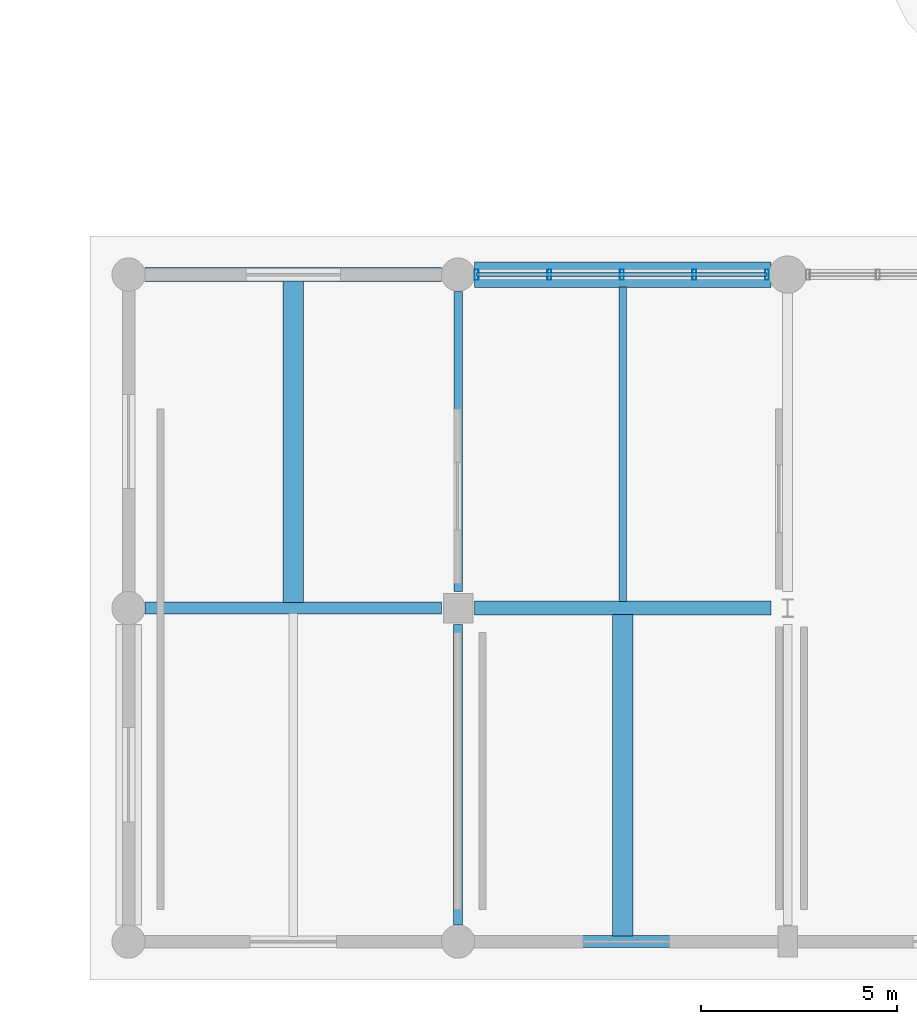
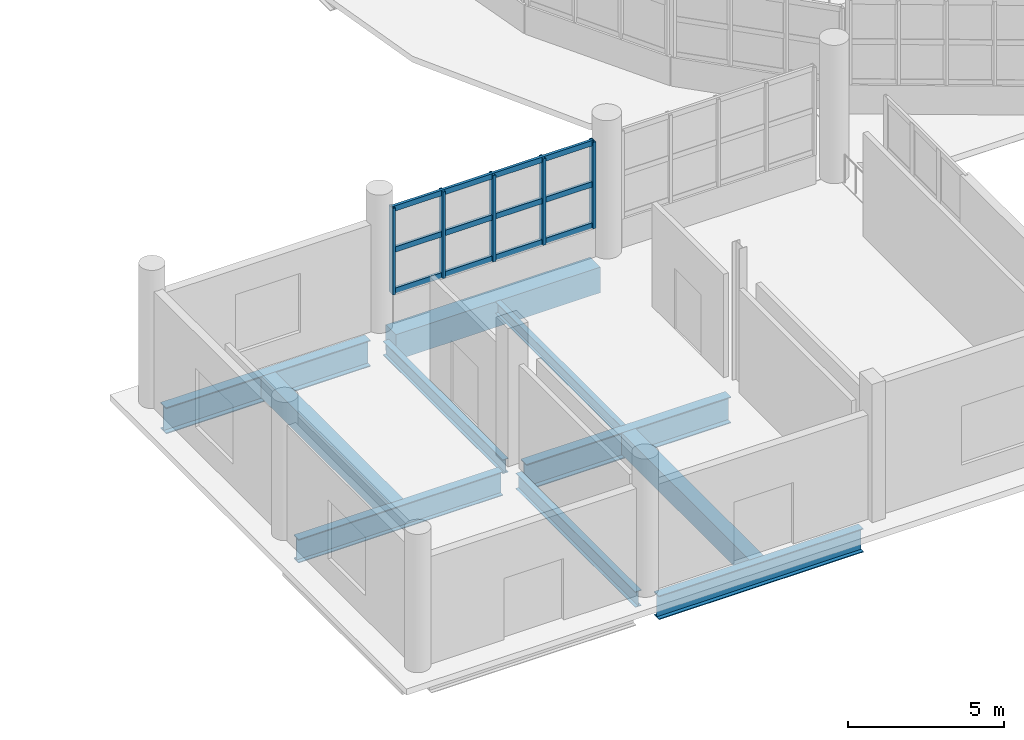
# One storey, part 3 of 107: 10 beams, 8 members, 1 element without a shape of its own.
"""IFC4 building model written with IfcOpenShell, lengths in metres."""

from ifc_helpers import new_model, si_unit, direction, frame, origin, origin_2d, place, context, subcontext, project, spatial, rectangle, hollow_rectangle, i_section, extrude, material, material_profile, profile_set, type_object, element, aggregate, save


model = new_model("IFC4")

# Units and contexts
model_context = context("Model", 3, precision=1e-05, world=origin(), true_north=direction((0.0, 1.0)))
body_context = subcontext(model_context, "Body", "Model", "MODEL_VIEW")
ifc_project = project(units=[si_unit("LENGTHUNIT", "METRE"), si_unit("AREAUNIT", "SQUARE_METRE"), si_unit("VOLUMEUNIT", "CUBIC_METRE"), si_unit("PLANEANGLEUNIT", "RADIAN"), si_unit("MASSUNIT", "GRAM", prefix="KILO")], contexts=[model_context])

# Site, building, storey
site_placement = place(None, origin())
site = spatial("IfcSite", under=ifc_project, at=site_placement, CompositionType="ELEMENT")
building_placement = place(site_placement, origin())
building = spatial("IfcBuilding", under=site, at=building_placement, Name="Solvento Point Concert Hall", CompositionType="ELEMENT")
storey_placement = place(building_placement, origin())
storey = spatial("IfcBuildingStorey", under=building, at=storey_placement, Name="L00", CompositionType="ELEMENT", Elevation=0.0)

# Beams
ifc_material_1 = material(Name="Concrete C35/45", Category="concrete")
ifc_material_profile_1 = material_profile(ifc_material_1, rectangle(XDim=0.52001953125, YDim=0.840087890625, at=origin_2d()), Name="RC-BM-520X840")
ifc_profile_set_1 = profile_set([ifc_material_profile_1], Name="Concrete C35/45")
beam_type_1 = type_object("IfcBeamType", Name="Beam_RC_520x840", PredefinedType="BEAM", material=ifc_profile_set_1)
for number, where, z_axis, x_axis, name in (
    (1, (19.800048828125, 8.638671875, -0.72412109375), (0.0, 1.0, 0.0), (-1.0, 0.0, 0.0), "Secondary floor joist B-54 L00"),
    (2, (28.199951171875, 0.138671875, -0.72412109375), (0.0, 1.0, 0.0), (-1.0, 0.0, 0.0), "Secondary floor joist B-54 L00"),
):
    element("IfcBeam", number, at=place(storey_placement, frame(where, z_axis=z_axis, x_axis=x_axis)), inside=storey, type_object=beam_type_1, Name=name, PredefinedType="BEAM", context=body_context, shape_type="SweptSolid", body=[
        extrude(rectangle(XDim=0.52001953125, YDim=0.840087890625, at=origin_2d()), origin(), (0.0, 0.0, 1.0), 8.19580078125),
    ])
ifc_material_2 = material(Name="Structural Steel ASTM A992 Grade 50", Category="steel")
ifc_material_profile_2 = material_profile(ifc_material_2, i_section(OverallWidth=0.214111328125, OverallDepth=0.549072265625, WebThickness=0.0146484375, FlangeThickness=0.023681640625, at=origin_2d()), Name="W21X93")
ifc_profile_set_2 = profile_set([ifc_material_profile_2], Name="Structural Steel ASTM A992 Grade 50")
beam_type_2 = type_object("IfcBeamType", Name="Beam_W21X93", PredefinedType="BEAM", material=ifc_profile_set_2)
beam_1_placement = place(storey_placement, frame((24.0, 8.924072265625, -0.57861328125), z_axis=(0.0, 1.0, 0.0), x_axis=(-1.0, 0.0, 0.0)))
element("IfcBeam", 3, at=beam_1_placement, inside=storey, type_object=beam_type_2, Name="Primary girder B-48 L00", PredefinedType="BEAM", context=body_context, shape_type="SweptSolid", body=[
    extrude(i_section(OverallWidth=0.214111328125, OverallDepth=0.549072265625, WebThickness=0.0146484375, FlangeThickness=0.023681640625, at=origin_2d()), origin(), (0.0, 0.0, 1.0), 7.65185546875),
])
ifc_material_3 = material(Name="Structural Steel ASTM A992 Grade 50", Category="steel")
ifc_material_profile_3 = material_profile(ifc_material_3, i_section(OverallWidth=0.228515625, OverallDepth=0.60791015625, WebThickness=0.01123046875, FlangeThickness=0.017333984375, at=origin_2d()), Name="W24X76")
ifc_profile_set_3 = profile_set([ifc_material_profile_3], Name="Structural Steel ASTM A992 Grade 50")
beam_type_3 = type_object("IfcBeamType", Name="Beam_W24X76", PredefinedType="BEAM", material=ifc_profile_set_3)
beam_2_placement = place(storey_placement, frame((24.0, 0.424072265625, -0.60791015625), z_axis=(0.0, 1.0, 0.0), x_axis=(-1.0, 0.0, 0.0)))
element("IfcBeam", 4, at=beam_2_placement, inside=storey, type_object=beam_type_3, Name="Primary girder B-42 L00", PredefinedType="BEAM", context=body_context, shape_type="SweptSolid", body=[
    extrude(i_section(OverallWidth=0.228515625, OverallDepth=0.60791015625, WebThickness=0.01123046875, FlangeThickness=0.017333984375, at=origin_2d()), origin(), (0.0, 0.0, 1.0), 7.65185546875),
])
ifc_material_4 = material(Name="Concrete C35/45", Category="concrete")
ifc_material_profile_4 = material_profile(ifc_material_4, rectangle(XDim=0.64990234375, YDim=1.0, at=origin_2d()), Name="RC-BM-650X1000")
ifc_profile_set_4 = profile_set([ifc_material_profile_4], Name="Concrete C35/45")
beam_type_4 = type_object("IfcBeamType", Name="Girder_RC_650x1000", PredefinedType="USERDEFINED", material=ifc_profile_set_4)
beam_3_placement = place(storey_placement, frame((24.424072265625, 17.0, -0.803955078125), z_axis=(1.0, 0.0, 0.0), x_axis=(0.0, 1.0, 0.0)))
element("IfcBeam", 5, at=beam_3_placement, inside=storey, type_object=beam_type_4, Name="Primary girder B-67 L00", ObjectType="GIRDER", PredefinedType="USERDEFINED", context=body_context, shape_type="SweptSolid", body=[
    extrude(rectangle(XDim=0.64990234375, YDim=1.0, at=origin_2d()), origin(), (0.0, 0.0, 1.0), 7.552001953125),
])
ifc_material_5 = material(Name="Structural Steel ASTM A992 Grade 50", Category="steel")
ifc_material_profile_5 = material_profile(ifc_material_5, i_section(OverallWidth=0.3076171875, OverallDepth=0.927001953125, WebThickness=0.019287109375, FlangeThickness=0.031982421875, at=origin_2d()), Name="W36X194")
ifc_profile_set_5 = profile_set([ifc_material_profile_5], Name="Structural Steel ASTM A992 Grade 50")
beam_type_5 = type_object("IfcBeamType", Name="Girder_W36X194", PredefinedType="USERDEFINED", material=ifc_profile_set_5)
for number, where, z_axis, x_axis, name in (
    (6, (24.424072265625, 0.0, -0.767578125), (1.0, 0.0, 0.0), (0.0, 1.0, 0.0), "Primary girder B-61 L00"),
    (7, (16.02392578125, 8.5, -0.767578125), (1.0, 0.0, 0.0), (0.0, 1.0, 0.0), "Primary girder B-61 L00"),
):
    element("IfcBeam", number, at=place(storey_placement, frame(where, z_axis=z_axis, x_axis=x_axis)), inside=storey, type_object=beam_type_5, Name=name, ObjectType="GIRDER", PredefinedType="USERDEFINED", context=body_context, shape_type="SweptSolid", body=[
        extrude(i_section(OverallWidth=0.3076171875, OverallDepth=0.927001953125, WebThickness=0.019287109375, FlangeThickness=0.031982421875, at=origin_2d()), origin(), (0.0, 0.0, 1.0), 7.552001953125),
    ])
ifc_material_6 = material(Name="Structural Steel ASTM A992 Grade 50", Category="steel")
ifc_material_profile_6 = material_profile(ifc_material_6, i_section(OverallWidth=0.361083984375, OverallDepth=1.02587890625, WebThickness=0.01904296875, FlangeThickness=0.0361328125, at=origin_2d()), Name="W40X249")
ifc_profile_set_6 = profile_set([ifc_material_profile_6], Name="Structural Steel ASTM A992 Grade 50")
beam_type_6 = type_object("IfcBeamType", Name="Girder_W40X249", PredefinedType="USERDEFINED", material=ifc_profile_set_6)
for number, where, z_axis, x_axis, name in (
    (8, (24.424072265625, 8.5, -0.81689453125), (1.0, 0.0, 0.0), (0.0, 1.0, 0.0), "Primary girder B-29 L00"),
    (9, (16.02392578125, 17.0, -0.81689453125), (1.0, 0.0, 0.0), (0.0, 1.0, 0.0), "Primary girder B-29 L00"),
):
    element("IfcBeam", number, at=place(storey_placement, frame(where, z_axis=z_axis, x_axis=x_axis)), inside=storey, type_object=beam_type_6, Name=name, ObjectType="GIRDER", PredefinedType="USERDEFINED", context=body_context, shape_type="SweptSolid", body=[
        extrude(i_section(OverallWidth=0.361083984375, OverallDepth=1.02587890625, WebThickness=0.01904296875, FlangeThickness=0.0361328125, at=origin_2d()), origin(), (0.0, 0.0, 1.0), 7.552001953125),
    ])
ifc_material_7 = material(Name="Structural Steel ASTM A992 Grade 50", Category="steel")
ifc_material_profile_7 = material_profile(ifc_material_7, i_section(OverallWidth=0.1904296875, OverallDepth=0.45703125, WebThickness=0.009033203125, FlangeThickness=0.014404296875, at=origin_2d()), Name="W18X50")
ifc_profile_set_7 = profile_set([ifc_material_profile_7], Name="Structural Steel ASTM A992 Grade 50")
beam_type_7 = type_object("IfcBeamType", Name="Joist_W18X50", PredefinedType="JOIST", material=ifc_profile_set_7)
beam_4_placement = place(storey_placement, frame((28.199951171875, 8.66552734375, -0.532470703125), z_axis=(0.0, 1.0, 0.0), x_axis=(-1.0, 0.0, 0.0)))
element("IfcBeam", 10, at=beam_4_placement, inside=storey, type_object=beam_type_7, Name="Secondary floor joist B-66 L00", PredefinedType="JOIST", context=body_context, shape_type="SweptSolid", body=[
    extrude(i_section(OverallWidth=0.1904296875, OverallDepth=0.45703125, WebThickness=0.009033203125, FlangeThickness=0.014404296875, at=origin_2d()), origin(), (0.0, 0.0, 1.0), 8.0244140625),
])

# Curtain wall, members
ifc_material_8 = material(Name="Anodized Bronze Aluminium", Category="aluminium")
curtain_wall_type = type_object("IfcCurtainWallType", Name="CurtainWall_FoyerL00", PredefinedType="USERDEFINED", material=ifc_material_8)
curtain_wall_placement = place(storey_placement, origin())
curtain_wall = element("IfcCurtainWall", 11, at=curtain_wall_placement, inside=storey, type_object=curtain_wall_type, Name="Unitised curtain wall CW-29 UCW-L00-059", ObjectType="UNITISED CURTAIN WALL", PredefinedType="USERDEFINED")
ifc_material_9 = material(Name="Anodized Bronze Aluminium", Category="aluminium")
ifc_material_profile_8 = material_profile(ifc_material_9, hollow_rectangle(XDim=0.10009765625, YDim=0.260009765625, WallThickness=0.0048828125, at=origin_2d()), Name="CW-MUL-100X260")
ifc_profile_set_8 = profile_set([ifc_material_profile_8], Name="Anodized Bronze Aluminium")
member_type_1 = type_object("IfcMemberType", Name="Mullion_100x260", PredefinedType="MULLION", material=ifc_profile_set_8)
member_1_placement = place(storey_placement, frame((24.47509765625, 17.0, 1.1201171875), z_axis=(0.0, 0.0, 1.0), x_axis=(1.0, 0.0, 0.0)))
member_1 = element("IfcMember", 12, at=member_1_placement, type_object=member_type_1, Name="Curtain wall mullion ML-03", PredefinedType="MULLION", context=body_context, shape_type="SweptSolid", body=[
    extrude(hollow_rectangle(XDim=0.10009765625, YDim=0.260009765625, WallThickness=0.0048828125, at=origin_2d()), origin(), (0.0, 0.0, 1.0), 3.3759765625),
])
member_2_placement = place(storey_placement, frame((26.324951171875, 17.0, 1.1201171875), z_axis=(0.0, 0.0, 1.0), x_axis=(1.0, 0.0, 0.0)))
member_2 = element("IfcMember", 13, at=member_2_placement, type_object=member_type_1, Name="Curtain wall mullion ML-03", PredefinedType="MULLION", context=body_context, shape_type="SweptSolid", body=[
    extrude(hollow_rectangle(XDim=0.10009765625, YDim=0.260009765625, WallThickness=0.0048828125, at=origin_2d()), origin(), (0.0, 0.0, 1.0), 3.3759765625),
])
member_3_placement = place(storey_placement, frame((28.175048828125, 17.0, 1.1201171875), z_axis=(0.0, 0.0, 1.0), x_axis=(1.0, 0.0, 0.0)))
member_3 = element("IfcMember", 14, at=member_3_placement, type_object=member_type_1, Name="Curtain wall mullion ML-03", PredefinedType="MULLION", context=body_context, shape_type="SweptSolid", body=[
    extrude(hollow_rectangle(XDim=0.10009765625, YDim=0.260009765625, WallThickness=0.0048828125, at=origin_2d()), origin(), (0.0, 0.0, 1.0), 3.3759765625),
])
member_4_placement = place(storey_placement, frame((30.02490234375, 17.0, 1.1201171875), z_axis=(0.0, 0.0, 1.0), x_axis=(1.0, 0.0, 0.0)))
member_4 = element("IfcMember", 15, at=member_4_placement, type_object=member_type_1, Name="Curtain wall mullion ML-03", PredefinedType="MULLION", context=body_context, shape_type="SweptSolid", body=[
    extrude(hollow_rectangle(XDim=0.10009765625, YDim=0.260009765625, WallThickness=0.0048828125, at=origin_2d()), origin(), (0.0, 0.0, 1.0), 3.3759765625),
])
member_5_placement = place(storey_placement, frame((31.875, 17.0, 1.1201171875), z_axis=(0.0, 0.0, 1.0), x_axis=(1.0, 0.0, 0.0)))
member_5 = element("IfcMember", 16, at=member_5_placement, type_object=member_type_1, Name="Curtain wall mullion ML-03", PredefinedType="MULLION", context=body_context, shape_type="SweptSolid", body=[
    extrude(hollow_rectangle(XDim=0.10009765625, YDim=0.260009765625, WallThickness=0.0048828125, at=origin_2d()), origin(), (0.0, 0.0, 1.0), 3.3759765625),
])
ifc_material_10 = material(Name="Anodized Bronze Aluminium", Category="aluminium")
ifc_material_profile_9 = material_profile(ifc_material_10, hollow_rectangle(XDim=0.10009765625, YDim=0.2099609375, WallThickness=0.0048828125, at=origin_2d()), Name="CW-TRN-100X210")
ifc_profile_set_9 = profile_set([ifc_material_profile_9], Name="Anodized Bronze Aluminium")
member_type_2 = type_object("IfcMemberType", Name="Transom_100x210", PredefinedType="USERDEFINED", material=ifc_profile_set_9)
member_6_placement = place(storey_placement, frame((24.47509765625, 17.0, 1.199951171875), z_axis=(1.0, 0.0, 0.0), x_axis=(0.0, 1.0, 0.0)))
member_6 = element("IfcMember", 17, at=member_6_placement, type_object=member_type_2, Name="Curtain wall transom TR-03", ObjectType="TRANSOM", PredefinedType="USERDEFINED", context=body_context, shape_type="SweptSolid", body=[
    extrude(hollow_rectangle(XDim=0.10009765625, YDim=0.2099609375, WallThickness=0.0048828125, at=origin_2d()), origin(), (0.0, 0.0, 1.0), 7.39990234375),
])
member_7_placement = place(storey_placement, frame((24.47509765625, 17.0, 2.80810546875), z_axis=(1.0, 0.0, 0.0), x_axis=(0.0, 1.0, 0.0)))
member_7 = element("IfcMember", 18, at=member_7_placement, type_object=member_type_2, Name="Curtain wall transom TR-03", ObjectType="TRANSOM", PredefinedType="USERDEFINED", context=body_context, shape_type="SweptSolid", body=[
    extrude(hollow_rectangle(XDim=0.10009765625, YDim=0.2099609375, WallThickness=0.0048828125, at=origin_2d()), origin(), (0.0, 0.0, 1.0), 7.39990234375),
])
member_8_placement = place(storey_placement, frame((24.47509765625, 17.0, 4.416015625), z_axis=(1.0, 0.0, 0.0), x_axis=(0.0, 1.0, 0.0)))
member_8 = element("IfcMember", 19, at=member_8_placement, type_object=member_type_2, Name="Curtain wall transom TR-03", ObjectType="TRANSOM", PredefinedType="USERDEFINED", context=body_context, shape_type="SweptSolid", body=[
    extrude(hollow_rectangle(XDim=0.10009765625, YDim=0.2099609375, WallThickness=0.0048828125, at=origin_2d()), origin(), (0.0, 0.0, 1.0), 7.39990234375),
])
aggregate(curtain_wall, [member_1, member_2, member_3, member_4, member_5, member_6, member_7, member_8])

save(model, "model.ifc")
